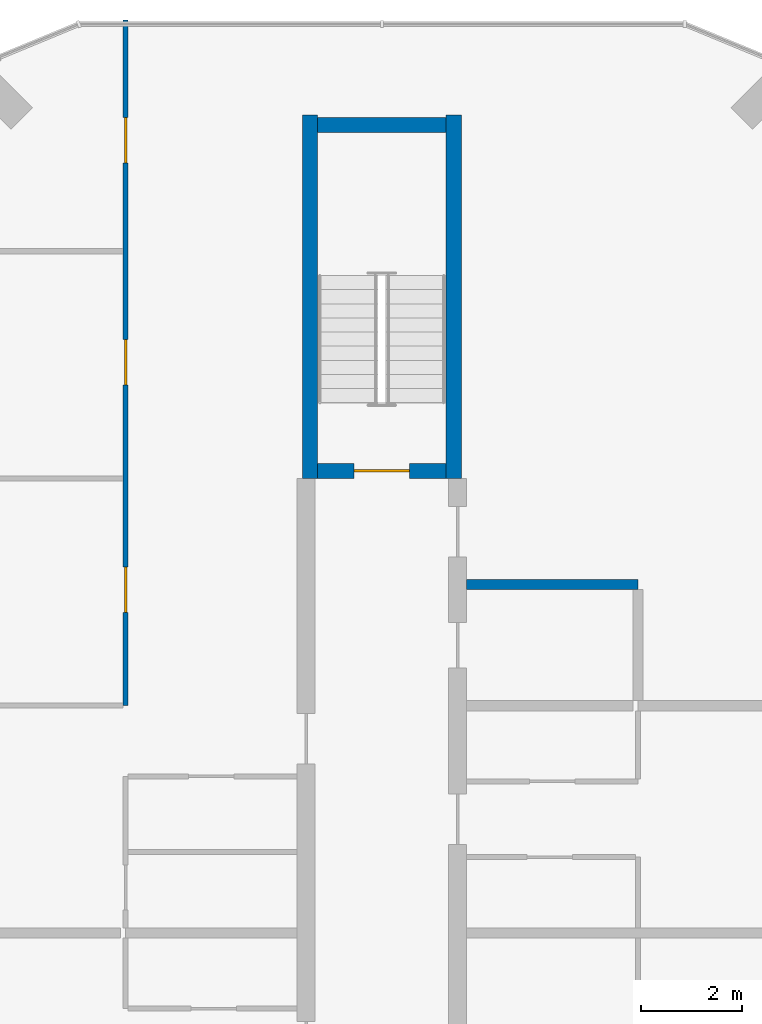
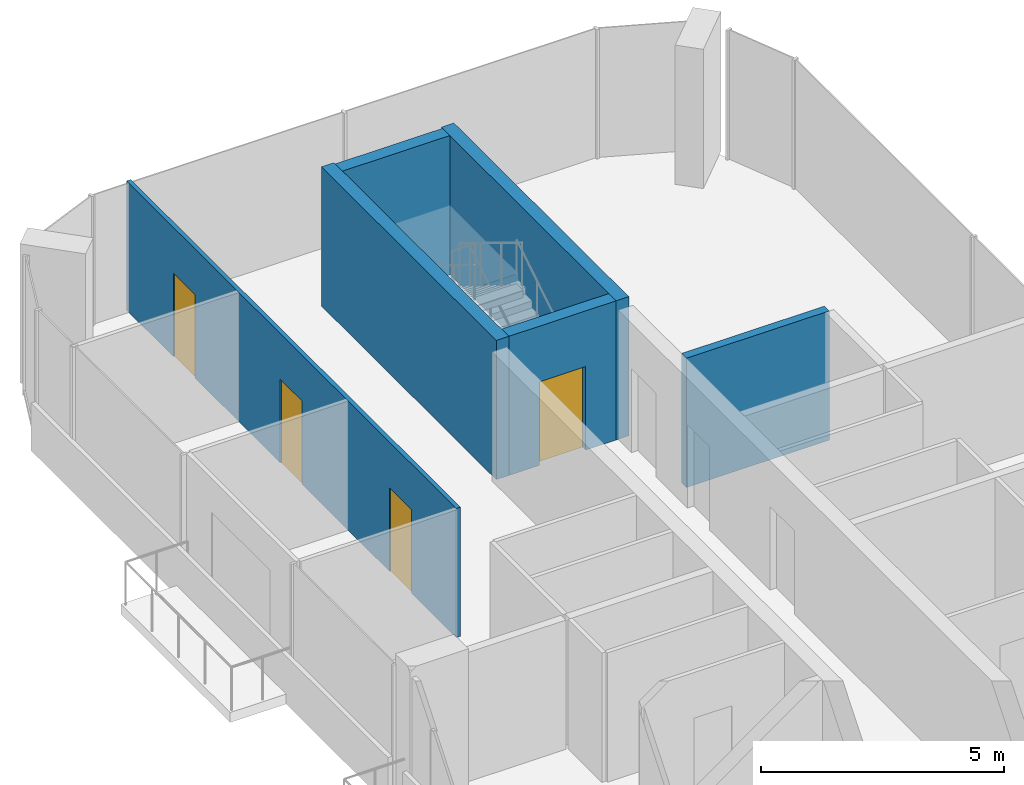
# One storey, part 17 of 23: 6 walls, 4 doors, 4 openings.
"""IFC4 building model written with IfcOpenShell, lengths in metres."""

from ifc_helpers import new_model, si_unit, direction, frame, frame_2d, origin, place, context, subcontext, project, spatial, rectangle, extrude, material, layer, layer_set, type_object, element, fill, save


model = new_model("IFC4")

# Units and contexts
model_context = context("Model", 3, precision=1e-05, world=origin(), true_north=direction((0.0, 1.0)))
body_context = subcontext(model_context, "Body", "Model", "MODEL_VIEW")
ifc_project = project(units=[si_unit("LENGTHUNIT", "METRE"), si_unit("AREAUNIT", "SQUARE_METRE"), si_unit("VOLUMEUNIT", "CUBIC_METRE"), si_unit("PLANEANGLEUNIT", "RADIAN"), si_unit("MASSUNIT", "GRAM", prefix="KILO")], contexts=[model_context])

# Site, building, storey
site_placement = place(None, origin())
site = spatial("IfcSite", under=ifc_project, at=site_placement, CompositionType="ELEMENT")
building_placement = place(site_placement, origin())
building = spatial("IfcBuilding", under=site, at=building_placement, Name="Plateau Cross Towers", CompositionType="ELEMENT")
storey_placement = place(building_placement, frame((0.0, 0.0, 33.800048828125)))
storey = spatial("IfcBuildingStorey", under=building, at=storey_placement, Name="L07", CompositionType="ELEMENT", Elevation=33.800048828125)

# Wall, openings, doors
ifc_material_1 = material(Name="Gypsum board on steel studs", Category="steel")
ifc_layer_1 = layer(ifc_material_1, 0.10009765625)
ifc_layer_set_1 = layer_set([ifc_layer_1], Name="Gypsum board on steel studs")
wall_type_1 = type_object("IfcWallType", Name="Flat partition 100", PredefinedType="PARTITIONING", material=ifc_layer_set_1)
wall_1_placement = place(storey_placement, frame((3.925048828125, 40.5, 0.0), z_axis=(0.0, 0.0, 1.0), x_axis=(0.0, 1.0, 0.0)))
wall_1 = element("IfcWall", 1, at=wall_1_placement, inside=storey, type_object=wall_type_1, Name="Partition wall", PredefinedType="PARTITIONING", context=body_context, shape_type="SweptSolid", body=[
    extrude(rectangle(XDim=13.580078125, YDim=0.10009765625, at=frame_2d((6.7900390625, 0.0))), origin(), (0.0, 0.0, 1.0), 3.25),
])
opening_1_placement = place(wall_1_placement, frame((1.85009765625, 0.0, 0.0)))
opening_1 = element("IfcOpeningElement", 2, at=opening_1_placement, cuts=wall_1, Name="Opening 07-41", PredefinedType="OPENING", context=body_context, shape_type="SweptSolid", body=[
    extrude(rectangle(XDim=0.89990234375, YDim=2.10009765625, at=frame_2d((0.449951171875, 1.050048828125))), frame((0.0, 0.06005859375, 0.0), z_axis=(0.0, -1.0, 0.0), x_axis=(1.0, 0.0, 0.0)), (0.0, 0.0, 1.0), 0.1201171875),
])
opening_2_placement = place(wall_1_placement, frame((6.35009765625, 0.0, 0.0)))
opening_2 = element("IfcOpeningElement", 3, at=opening_2_placement, cuts=wall_1, Name="Opening 07-42", PredefinedType="OPENING", context=body_context, shape_type="SweptSolid", body=[
    extrude(rectangle(XDim=0.89990234375, YDim=2.10009765625, at=frame_2d((0.449951171875, 1.050048828125))), frame((0.0, 0.06005859375, 0.0), z_axis=(0.0, -1.0, 0.0), x_axis=(1.0, 0.0, 0.0)), (0.0, 0.0, 1.0), 0.1201171875),
])
opening_3_placement = place(wall_1_placement, frame((10.75, 0.0, 0.0)))
opening_3 = element("IfcOpeningElement", 4, at=opening_3_placement, cuts=wall_1, Name="Opening 07-43", PredefinedType="OPENING", context=body_context, shape_type="SweptSolid", body=[
    extrude(rectangle(XDim=0.89990234375, YDim=2.10009765625, at=frame_2d((0.449951171875, 1.050048828125))), frame((0.0, 0.06005859375, 0.0), z_axis=(0.0, -1.0, 0.0), x_axis=(1.0, 0.0, 0.0)), (0.0, 0.0, 1.0), 0.1201171875),
])
ifc_material_2 = material(Name="Timber leaf", Category="wood")
door_type_1 = type_object("IfcDoorType", Name="Flat room door 900", OperationType="NOTDEFINED", PredefinedType="DOOR", material=ifc_material_2)
door_1_placement = place(opening_1_placement, origin())
door_1 = element("IfcDoor", 5, at=door_1_placement, inside=storey, type_object=door_type_1, Name="Door 07-41", OperationType="SINGLE_SWING_LEFT", OverallHeight=2.10009765625, OverallWidth=0.89990234375, PredefinedType="DOOR", context=body_context, shape_type="SweptSolid", body=[
    extrude(rectangle(XDim=0.89990234375, YDim=2.10009765625, at=frame_2d((0.449951171875, 1.050048828125))), frame((0.0, 0.02490234375, 0.0), z_axis=(0.0, -1.0, 0.0), x_axis=(1.0, 0.0, 0.0)), (0.0, 0.0, 1.0), 0.050048828125),
])
fill(opening_1, door_1)
door_2_placement = place(opening_2_placement, origin())
door_2 = element("IfcDoor", 6, at=door_2_placement, inside=storey, type_object=door_type_1, Name="Door 07-42", OperationType="SINGLE_SWING_RIGHT", OverallHeight=2.10009765625, OverallWidth=0.89990234375, PredefinedType="DOOR", context=body_context, shape_type="SweptSolid", body=[
    extrude(rectangle(XDim=0.89990234375, YDim=2.10009765625, at=frame_2d((0.449951171875, 1.050048828125))), frame((0.0, 0.02490234375, 0.0), z_axis=(0.0, -1.0, 0.0), x_axis=(1.0, 0.0, 0.0)), (0.0, 0.0, 1.0), 0.050048828125),
])
fill(opening_2, door_2)
door_3_placement = place(opening_3_placement, origin())
door_3 = element("IfcDoor", 7, at=door_3_placement, inside=storey, type_object=door_type_1, Name="Door 07-43", OperationType="SINGLE_SWING_RIGHT", OverallHeight=2.10009765625, OverallWidth=0.89990234375, PredefinedType="DOOR", context=body_context, shape_type="SweptSolid", body=[
    extrude(rectangle(XDim=0.89990234375, YDim=2.10009765625, at=frame_2d((0.449951171875, 1.050048828125))), frame((0.0, 0.02490234375, 0.0), z_axis=(0.0, -1.0, 0.0), x_axis=(1.0, 0.0, 0.0)), (0.0, 0.0, 1.0), 0.050048828125),
])
fill(opening_3, door_3)

# Wall
ifc_material_3 = material(Name="Gypsum board on steel studs, two layers each side", Category="steel")
ifc_layer_2 = layer(ifc_material_3, 0.199951171875)
ifc_layer_set_2 = layer_set([ifc_layer_2], Name="Gypsum board on steel studs, two layers each side")
wall_type_2 = type_object("IfcWallType", Name="Flat party wall 200", PredefinedType="PARTITIONING", material=ifc_layer_set_2)
wall_2_placement = place(storey_placement, frame((14.074951171875, 42.89990234375, 0.0), z_axis=(0.0, 0.0, 1.0), x_axis=(-1.0, 0.0, 0.0)))
element("IfcWall", 8, at=wall_2_placement, inside=storey, type_object=wall_type_2, Name="Party wall", PredefinedType="PARTITIONING", context=body_context, shape_type="SweptSolid", body=[
    extrude(rectangle(XDim=3.39990234375, YDim=0.199951171875, at=frame_2d((1.699951171875, 0.0))), origin(), (0.0, 0.0, 1.0), 3.25),
])

# Wall, opening, door
ifc_material_4 = material(Name="Concrete C60/75", Category="concrete")
ifc_layer_3 = layer(ifc_material_4, 0.300048828125)
ifc_layer_set_3 = layer_set([ifc_layer_3], Name="Concrete C60/75")
wall_type_3 = type_object("IfcWallType", Name="Stair tower wall 300", PredefinedType="SHEAR", material=ifc_layer_set_3)
wall_3_placement = place(storey_placement, frame((7.72509765625, 45.14990234375, 0.0), z_axis=(0.0, 0.0, 1.0), x_axis=(1.0, 0.0, 0.0)))
wall_3 = element("IfcWall", 9, at=wall_3_placement, inside=storey, type_object=wall_type_3, Name="A-end-N-S@L07", PredefinedType="SHEAR", context=body_context, shape_type="SweptSolid", body=[
    extrude(rectangle(XDim=2.5498046875, YDim=0.300048828125, at=frame_2d((1.27490234375, 0.0))), origin(), (0.0, 0.0, 1.0), 3.5),
])
opening_4_placement = place(wall_3_placement, frame((0.72509765625, 0.0, 0.0)))
opening_4 = element("IfcOpeningElement", 10, at=opening_4_placement, cuts=wall_3, Name="Opening SD", PredefinedType="OPENING", context=body_context, shape_type="SweptSolid", body=[
    extrude(rectangle(XDim=1.10009765625, YDim=2.10009765625, at=frame_2d((0.550048828125, 1.050048828125))), frame((0.0, 0.159912109375, 0.0), z_axis=(0.0, -1.0, 0.0), x_axis=(1.0, 0.0, 0.0)), (0.0, 0.0, 1.0), 0.320068359375),
])
ifc_material_5 = material(Name="Steel, fire-resisting leaf", Category="steel")
door_type_2 = type_object("IfcDoorType", Name="Stair door 1100", OperationType="NOTDEFINED", PredefinedType="DOOR", material=ifc_material_5)
door_4_placement = place(opening_4_placement, origin())
door_4 = element("IfcDoor", 11, at=door_4_placement, inside=storey, type_object=door_type_2, Name="Stair door SD", OperationType="SINGLE_SWING_LEFT", OverallHeight=2.10009765625, OverallWidth=1.10009765625, PredefinedType="DOOR", context=body_context, shape_type="SweptSolid", body=[
    extrude(rectangle(XDim=1.10009765625, YDim=2.10009765625, at=frame_2d((0.550048828125, 1.050048828125))), frame((0.0, 0.02490234375, 0.0), z_axis=(0.0, -1.0, 0.0), x_axis=(1.0, 0.0, 0.0)), (0.0, 0.0, 1.0), 0.050048828125),
])
fill(opening_4, door_4)

# Walls
wall_4_placement = place(storey_placement, frame((7.72509765625, 52.0, 0.0), z_axis=(0.0, 0.0, 1.0), x_axis=(1.0, 0.0, 0.0)))
element("IfcWall", 12, at=wall_4_placement, inside=storey, type_object=wall_type_3, Name="A-end-N-N@L07", PredefinedType="SHEAR", context=body_context, shape_type="SweptSolid", body=[
    extrude(rectangle(XDim=2.5498046875, YDim=0.300048828125, at=frame_2d((1.27490234375, 0.0))), origin(), (0.0, 0.0, 1.0), 3.5),
])
for number, where, z_axis, x_axis, name in (
    (13, (7.574951171875, 45.0, 0.0), (0.0, 0.0, 1.0), (0.0, 1.0, 0.0), "A-end-N-W@L07"),
    (14, (10.425048828125, 45.0, 0.0), (0.0, 0.0, 1.0), (0.0, 1.0, 0.0), "A-end-N-E@L07"),
):
    element("IfcWall", number, at=place(storey_placement, frame(where, z_axis=z_axis, x_axis=x_axis)), inside=storey, type_object=wall_type_3, Name=name, PredefinedType="SHEAR", context=body_context, shape_type="SweptSolid", body=[
        extrude(rectangle(XDim=7.199951171875, YDim=0.300048828125, at=frame_2d((3.60009765625, 0.0))), origin(), (0.0, 0.0, 1.0), 3.5),
    ])

save(model, "model.ifc")
